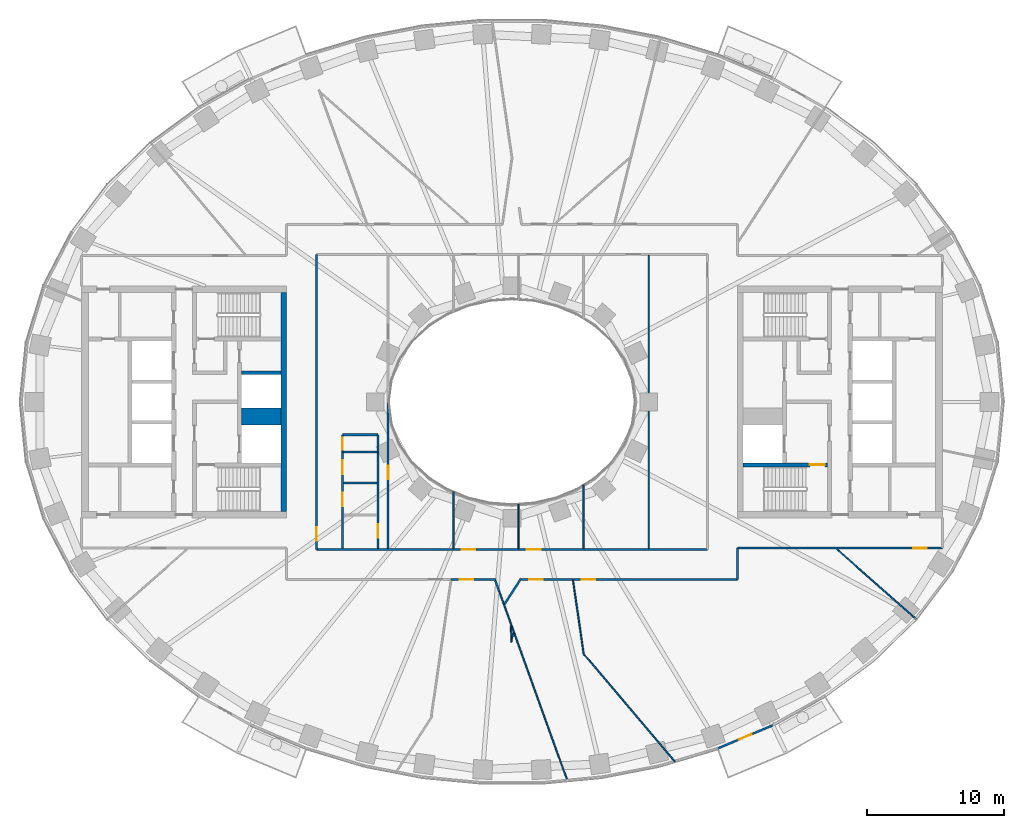
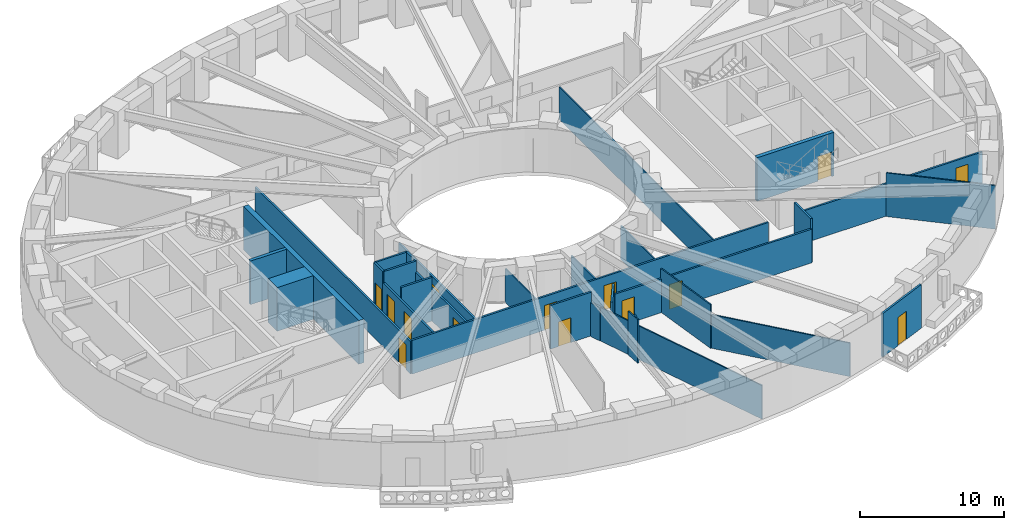
# One storey, part 4 of 15: 32 walls, 14 doors, 14 openings.
"""IFC4 building model written with IfcOpenShell, lengths in metres."""

import ifcopenshell
import ifcopenshell.guid

model = None  # the IFC model being written
_history = None  # IfcOwnerHistory: only IFC2X3 demands one
_inside = {}  # id of a spatial element -> (the spatial element, [elements in it])
_under = {}  # id of a project, library or spatial element -> (it, [spatial elements below it])
_declared = {}  # id of a project -> (the project, [libraries it declares])
_typed = {}  # id of a type object -> (the type object, [elements of that type])
_made_of = {}  # id of a material, layer set ... -> (it, [elements and type objects made of it])


def new_model(schema):
    """Start an empty IFC model of exactly this schema.

    Asked for "IFC4X3", IfcOpenShell would pick the latest addendum, in which some entities
    have other attributes; the version numbers below select the first issue.
    IFC2X3 requires an IfcOwnerHistory on every rooted entity: one is made here for all.
    """
    global model, _history
    if schema == "IFC4X3":
        model = ifcopenshell.file(schema_version=(4, 3, 0, 0))
    else:
        model = ifcopenshell.file(schema=schema)
    _inside.clear()
    _under.clear()
    _declared.clear()
    _typed.clear()
    _made_of.clear()
    _history = None
    if model.schema == "IFC2X3":
        org = make("IfcOrganization", Name="unknown")
        user = make(
            "IfcPersonAndOrganization",
            ThePerson=make("IfcPerson", FamilyName="unknown"),
            TheOrganization=org,
        )
        app = make(
            "IfcApplication",
            ApplicationDeveloper=org,
            Version="unknown",
            ApplicationFullName="unknown",
            ApplicationIdentifier="unknown",
        )
        _history = make(
            "IfcOwnerHistory",
            OwningUser=user,
            OwningApplication=app,
            ChangeAction="ADDED",
            CreationDate=0,
        )
    return model


def make(cls, **values):
    """One entity of the class cls with the attributes given. An attribute that is None is left unset."""
    return model.create_entity(
        cls, **{name: value for name, value in values.items() if value is not None}
    )


def rooted(cls, **values):
    """An entity with a GlobalId (a new one), such as an element, a storey or a relation."""
    return make(cls, GlobalId=ifcopenshell.guid.new(), OwnerHistory=_history, **values)


def si_unit(unit_type, name, prefix=None):
    """IfcSIUnit, for example si_unit("LENGTHUNIT", "METRE", prefix="MILLI")."""
    return make("IfcSIUnit", UnitType=unit_type, Prefix=prefix, Name=name)


def assignment(units):
    """IfcUnitAssignment: the units of a project."""
    return None if units is None else make("IfcUnitAssignment", Units=units)


def point(xyz):
    """IfcCartesianPoint."""
    return None if xyz is None else make("IfcCartesianPoint", Coordinates=xyz)


def direction(xyz):
    """IfcDirection."""
    return None if xyz is None else make("IfcDirection", DirectionRatios=xyz)


def frame(location, z_axis=None, x_axis=None):
    """IfcAxis2Placement3D, a coordinate frame: its origin and axes. An axis left out is left unset."""
    return make(
        "IfcAxis2Placement3D",
        Location=point(location),
        Axis=direction(z_axis),
        RefDirection=direction(x_axis),
    )


def frame_2d(location, x_axis=None):
    """IfcAxis2Placement2D, a coordinate frame in the plane: its origin and x axis."""
    return make(
        "IfcAxis2Placement2D", Location=point(location), RefDirection=direction(x_axis)
    )


def origin():
    """The frame at (0, 0, 0) with its axes left unset."""
    return frame((0.0, 0.0, 0.0))


def place(relative_to, where):
    """IfcLocalPlacement: puts the frame where relative to a parent placement (None: the world)."""
    return make(
        "IfcLocalPlacement", PlacementRelTo=relative_to, RelativePlacement=where
    )


def context(
    kind, dimensions, precision=None, world=None, true_north=None, identifier=None
):
    """IfcGeometricRepresentationContext, for example the 3D "Model" context."""
    return make(
        "IfcGeometricRepresentationContext",
        ContextIdentifier=identifier,
        ContextType=kind,
        CoordinateSpaceDimension=dimensions,
        Precision=precision,
        WorldCoordinateSystem=world,
        TrueNorth=true_north,
    )


def subcontext(parent, identifier, kind, view, scale=None):
    """IfcGeometricRepresentationSubContext, for example "Body" below "Model"."""
    return make(
        "IfcGeometricRepresentationSubContext",
        ContextIdentifier=identifier,
        ContextType=kind,
        ParentContext=parent,
        TargetScale=scale,
        TargetView=view,
    )


def project(units=None, contexts=None):
    """IfcProject with its units and contexts."""
    return rooted(
        "IfcProject",
        Name="project",
        RepresentationContexts=contexts,
        UnitsInContext=assignment(units),
    )


def spatial(cls, under=None, at=None, **own):
    """A site, building, storey or space (cls), placed at a placement, below another one or the project."""
    s = rooted(cls, ObjectPlacement=at, **own)
    if under is not None:
        _under.setdefault(under.id(), (under, []))[1].append(s)
    return s


def profile(cls, at=None, kind="AREA", **sizes):
    """A parametric profile (cls). Its sizes go by their IFC names, for example OverallWidth=200.0."""
    return make(cls, ProfileType=kind, Position=at, **sizes)


def rectangle(**sizes):
    """IfcRectangleProfileDef."""
    return profile("IfcRectangleProfileDef", **sizes)


def extrude(swept, where, along, depth):
    """IfcExtrudedAreaSolid: the profile swept, set in the frame where, extruded along a direction by depth."""
    return make(
        "IfcExtrudedAreaSolid",
        SweptArea=swept,
        Position=where,
        ExtrudedDirection=direction(along),
        Depth=depth,
    )


def shape(context_of_items, identifier, shape_type, items):
    """IfcShapeRepresentation: the items that make up one representation, for example the "Body"."""
    return make(
        "IfcShapeRepresentation",
        ContextOfItems=context_of_items,
        RepresentationIdentifier=identifier,
        RepresentationType=shape_type,
        Items=items,
    )


def material(Name=None, Category=None):
    """IfcMaterial."""
    return make("IfcMaterial", Name=Name, Category=Category)


def layer(
    of_material, thickness, ventilated=None, Name=None, Category=None, Priority=None
):
    """IfcMaterialLayer: one layer of a wall or slab, of a material (None: an air gap)."""
    return make(
        "IfcMaterialLayer",
        Material=of_material,
        LayerThickness=thickness,
        IsVentilated=ventilated,
        Name=Name,
        Category=Category,
        Priority=Priority,
    )


def layer_set(layers, Name=None):
    """IfcMaterialLayerSet."""
    return make("IfcMaterialLayerSet", MaterialLayers=layers, LayerSetName=Name)


def made_of(thing, what):
    """Note that an element or type object is made of a material, layer set ...; save() writes the relation."""
    if what is not None:
        _made_of.setdefault(what.id(), (what, []))[1].append(thing)
    return thing


def type_object(cls, material=None, **own):
    """A type object (cls), such as IfcWallType, which elements share."""
    return made_of(rooted(cls, **own), material)


def element(
    cls,
    number,
    at=None,
    inside=None,
    cuts=None,
    type_object=None,
    material=None,
    context=None,
    identifier="Body",
    shape_type=None,
    held_by="IfcProductDefinitionShape",
    body=None,
    shapes=None,
    **own,
):
    """One element of the class cls, such as IfcWall. Its Tag is "e" and its number.

    at: its placement. inside: the storey or other place that contains it. cuts: it is an
    opening in that element (IfcRelVoidsElement). A single representation is given by context,
    identifier, shape_type and body (its items); several are given by shapes. held_by: the class
    of the entity that holds the representations. save() writes the other relations.
    """
    e = rooted(cls, Tag="e%d" % number, ObjectPlacement=at, **own)
    if body is not None:
        shapes = [shape(context, identifier, shape_type, body)]
    if shapes is not None:
        e.Representation = make(held_by, Representations=shapes)
    if inside is not None:
        _inside.setdefault(inside.id(), (inside, []))[1].append(e)
    if cuts is not None:
        rooted(
            "IfcRelVoidsElement", RelatingBuildingElement=cuts, RelatedOpeningElement=e
        )
    if type_object is not None:
        _typed.setdefault(type_object.id(), (type_object, []))[1].append(e)
    return made_of(e, material)


def fill(opening, filler):
    """IfcRelFillsElement: the door or window that sits in an opening."""
    return rooted(
        "IfcRelFillsElement",
        RelatingOpeningElement=opening,
        RelatedBuildingElement=filler,
    )


def aggregate(whole, parts):
    """IfcRelAggregates: a whole, such as a stair, and the parts it consists of."""
    return rooted("IfcRelAggregates", RelatingObject=whole, RelatedObjects=parts)


def save(model, path):
    """Write the relations noted so far, then the file.

    IfcRelAggregates (storeys below a building ...), IfcRelContainedInSpatialStructure (elements
    in a storey), IfcRelDefinesByType, IfcRelAssociatesMaterial and IfcRelDeclares: one each for
    every whole, place, type object, material and project.
    """
    for whole, parts in _under.values():
        aggregate(whole, parts)
    for where, things in _inside.values():
        rooted(
            "IfcRelContainedInSpatialStructure",
            RelatedElements=things,
            RelatingStructure=where,
        )
    for kind, things in _typed.values():
        rooted("IfcRelDefinesByType", RelatedObjects=things, RelatingType=kind)
    for what, things in _made_of.values():
        rooted("IfcRelAssociatesMaterial", RelatedObjects=things, RelatingMaterial=what)
    for by, libraries in _declared.values():
        rooted("IfcRelDeclares", RelatingContext=by, RelatedDefinitions=libraries)
    model.write(path)


model = new_model("IFC4")

# Units and contexts
model_context = context("Model", 3, precision=1e-05, world=origin(), true_north=direction((0.0, 1.0)))
body_context = subcontext(model_context, "Body", "Model", "MODEL_VIEW")
ifc_project = project(units=[si_unit("LENGTHUNIT", "METRE"), si_unit("AREAUNIT", "SQUARE_METRE"), si_unit("VOLUMEUNIT", "CUBIC_METRE"), si_unit("PLANEANGLEUNIT", "RADIAN"), si_unit("MASSUNIT", "GRAM", prefix="KILO")], contexts=[model_context])

# Site, building, storey
site_placement = place(None, origin())
site = spatial("IfcSite", under=ifc_project, at=site_placement, CompositionType="ELEMENT")
building_placement = place(site_placement, origin())
building = spatial("IfcBuilding", under=site, at=building_placement, Name="Noorbagh Ring Tower", CompositionType="ELEMENT")
storey_placement = place(building_placement, frame((0.0, 0.0, 62.5)))
storey = spatial("IfcBuildingStorey", under=building, at=storey_placement, Name="L13", CompositionType="ELEMENT", Elevation=62.5)

# Wall, opening, door
ifc_material_1 = material(Name="Gypsum board on steel studs", Category="steel")
ifc_layer_1 = layer(ifc_material_1, 0.14990234375)
ifc_layer_set_1 = layer_set([ifc_layer_1], Name="Gypsum board on steel studs")
wall_type_1 = type_object("IfcWallType", Name="COMPARTMENT PARTITION 150 EI 60", PredefinedType="PARTITIONING", material=ifc_layer_set_1)
wall_1_placement = place(storey_placement, frame((-12.39990234375, -3.659912109375, 0.0), z_axis=(0.0, 0.0, 1.0), x_axis=(0.0, 1.0, 0.0)))
wall_1 = element("IfcWall", 1, at=wall_1_placement, inside=storey, type_object=wall_type_1, Name="L13/wall/P20", PredefinedType="PARTITIONING", context=body_context, shape_type="SweptSolid", body=[
    extrude(rectangle(XDim=1.260009765625, YDim=0.14990234375, at=frame_2d((0.6298828125, 0.0))), origin(), (0.0, 0.0, 1.0), 3.699951171875),
])
opening_1_placement = place(wall_1_placement, frame((0.14990234375, 0.0, 0.0)))
opening_1 = element("IfcOpeningElement", 2, at=opening_1_placement, cuts=wall_1, Name="Opening D4", PredefinedType="OPENING", context=body_context, shape_type="SweptSolid", body=[
    extrude(rectangle(XDim=0.89990234375, YDim=2.10009765625, at=frame_2d((0.449951171875, 1.050048828125))), frame((0.0, 0.0849609375, 0.0), z_axis=(0.0, -1.0, 0.0), x_axis=(1.0, 0.0, 0.0)), (0.0, 0.0, 1.0), 0.169921875),
])
ifc_material_2 = material(Name="Timber, painted", Category="wood")
door_type_1 = type_object("IfcDoorType", Name="DOOR 900 X 2100 FD60", OperationType="SINGLE_SWING_LEFT", PredefinedType="DOOR", material=ifc_material_2)
door_1_placement = place(opening_1_placement, origin())
door_1 = element("IfcDoor", 3, at=door_1_placement, inside=storey, type_object=door_type_1, Name="L13-D05", OperationType="SINGLE_SWING_LEFT", OverallHeight=2.10009765625, OverallWidth=0.89990234375, PredefinedType="DOOR", context=body_context, shape_type="SweptSolid", body=[
    extrude(rectangle(XDim=0.89990234375, YDim=2.10009765625, at=frame_2d((0.449951171875, 1.050048828125))), frame((0.0, 0.02490234375, 0.0), z_axis=(0.0, -1.0, 0.0), x_axis=(1.0, 0.0, 0.0)), (0.0, 0.0, 1.0), 0.050048828125),
])
fill(opening_1, door_1)

# Walls
wall_2_placement = place(storey_placement, frame((-12.39990234375, -3.659912109375, 0.0), z_axis=(0.0, 0.0, 1.0), x_axis=(1.0, 0.0, 0.0)))
element("IfcWall", 4, at=wall_2_placement, inside=storey, type_object=wall_type_1, Name="L13/wall/P21", PredefinedType="PARTITIONING", context=body_context, shape_type="SweptSolid", body=[
    extrude(rectangle(XDim=2.599853515625, YDim=0.14990234375, at=frame_2d((1.2998046875, 0.0))), origin(), (0.0, 0.0, 1.0), 3.699951171875),
])
wall_3_placement = place(storey_placement, frame((-12.39990234375, -2.39990234375, 0.0), z_axis=(0.0, 0.0, 1.0), x_axis=(1.0, 0.0, 0.0)))
element("IfcWall", 5, at=wall_3_placement, inside=storey, type_object=wall_type_1, Name="L13/wall/P22", PredefinedType="PARTITIONING", context=body_context, shape_type="SweptSolid", body=[
    extrude(rectangle(XDim=2.595947265625, YDim=0.14990234375, at=frame_2d((1.2978515625, 0.0))), origin(), (0.0, 0.0, 1.0), 3.699951171875),
])
wall_4_placement = place(storey_placement, frame((-9.800048828125, -3.659912109375, 0.0), z_axis=(0.0, 0.0, 1.0), x_axis=(0.0, 1.0, 0.0)))
element("IfcWall", 6, at=wall_4_placement, inside=storey, type_object=wall_type_1, Name="L13/wall/P25", PredefinedType="PARTITIONING", context=body_context, shape_type="SweptSolid", body=[
    extrude(rectangle(XDim=1.255859375, YDim=0.14990234375, at=frame_2d((0.6279296875, 0.0))), origin(), (0.0, 0.0, 1.0), 3.699951171875),
])
ifc_material_3 = material(Name="Concrete C70/85", Category="concrete")
ifc_layer_2 = layer(ifc_material_3, 1.25)
ifc_layer_set_2 = layer_set([ifc_layer_2], Name="Concrete C70/85")
wall_type_2 = type_object("IfcWallType", Name="CORE-WALL-1250-C70-85-EI120", PredefinedType="SHEAR", material=ifc_layer_set_2)
wall_5_placement = place(storey_placement, frame((-16.89990234375, -1.074951171875, 0.0), z_axis=(0.0, 0.0, 1.0), x_axis=(-1.0, 0.0, 0.0)))
element("IfcWall", 7, at=wall_5_placement, inside=storey, type_object=wall_type_2, Name="Core wall W", PredefinedType="SHEAR", context=body_context, shape_type="SweptSolid", body=[
    extrude(rectangle(XDim=2.900146484375, YDim=1.25, at=frame_2d((1.4501953125, 0.0))), origin(), (0.0, 0.0, 1.0), 3.699951171875),
])
ifc_material_4 = material(Name="Concrete C70/85", Category="concrete")
ifc_layer_3 = layer(ifc_material_4, 0.25)
ifc_layer_set_3 = layer_set([ifc_layer_3], Name="Concrete C70/85")
wall_type_3 = type_object("IfcWallType", Name="CORE-WALL-250-C70-85-EI120", PredefinedType="SHEAR", material=ifc_layer_set_3)
wall_6_placement = place(storey_placement, frame((-16.89990234375, 2.125, 0.0), z_axis=(0.0, 0.0, 1.0), x_axis=(-1.0, 0.0, 0.0)))
element("IfcWall", 8, at=wall_6_placement, inside=storey, type_object=wall_type_3, Name="Core wall W", PredefinedType="SHEAR", context=body_context, shape_type="SweptSolid", body=[
    extrude(rectangle(XDim=2.900146484375, YDim=0.25, at=frame_2d((1.4501953125, 0.0))), origin(), (0.0, 0.0, 1.0), 3.699951171875),
])

# Wall, opening, door
ifc_material_5 = material(Name="Concrete C70/85", Category="concrete")
ifc_layer_4 = layer(ifc_material_5, 0.300048828125)
ifc_layer_set_4 = layer_set([ifc_layer_4], Name="Concrete C70/85")
wall_type_4 = type_object("IfcWallType", Name="CORE-WALL-300-C70-85-EI240", PredefinedType="SHEAR", material=ifc_layer_set_4)
wall_7_placement = place(storey_placement, frame((16.89990234375, -4.60009765625, 0.0), z_axis=(0.0, 0.0, 1.0), x_axis=(1.0, 0.0, 0.0)))
wall_7 = element("IfcWall", 9, at=wall_7_placement, inside=storey, type_object=wall_type_4, Name="Core wall E", PredefinedType="SHEAR", context=body_context, shape_type="SweptSolid", body=[
    extrude(rectangle(XDim=6.18017578125, YDim=0.300048828125, at=frame_2d((3.090087890625, 0.0))), origin(), (0.0, 0.0, 1.0), 3.699951171875),
])
opening_2_placement = place(wall_7_placement, frame((4.89990234375, 0.0, 0.0)))
opening_2 = element("IfcOpeningElement", 10, at=opening_2_placement, cuts=wall_7, Name="Opening L13-CE06", PredefinedType="OPENING", context=body_context, shape_type="SweptSolid", body=[
    extrude(rectangle(XDim=1.10009765625, YDim=2.10009765625, at=frame_2d((0.550048828125, 1.050048828125))), frame((0.0, 0.16015625, 0.0), z_axis=(0.0, -1.0, 0.0), x_axis=(1.0, 0.0, 0.0)), (0.0, 0.0, 1.0), 0.320068359375),
])
ifc_material_6 = material(Name="Steel door leaf", Category="steel")
door_type_2 = type_object("IfcDoorType", Name="CORE-DOOR-DSTAIR", OperationType="SINGLE_SWING_LEFT", PredefinedType="DOOR", material=ifc_material_6)
door_2_placement = place(opening_2_placement, origin())
door_2 = element("IfcDoor", 11, at=door_2_placement, inside=storey, type_object=door_type_2, Name="Stair door ST4 L13-CE06", OperationType="SINGLE_SWING_RIGHT", OverallHeight=2.10009765625, OverallWidth=1.10009765625, PredefinedType="DOOR", context=body_context, shape_type="SweptSolid", body=[
    extrude(rectangle(XDim=1.10009765625, YDim=2.10009765625, at=frame_2d((0.550048828125, 1.050048828125))), frame((0.0, 0.02490234375, 0.0), z_axis=(0.0, -1.0, 0.0), x_axis=(1.0, 0.0, 0.0)), (0.0, 0.0, 1.0), 0.050048828125),
])
fill(opening_2, door_2)

# Wall
ifc_material_7 = material(Name="Concrete C70/85", Category="concrete")
ifc_layer_5 = layer(ifc_material_7, 0.39990234375)
ifc_layer_set_5 = layer_set([ifc_layer_5], Name="Concrete C70/85")
wall_type_5 = type_object("IfcWallType", Name="CORE-WALL-400-C70-85-EI240", PredefinedType="SHEAR", material=ifc_layer_set_5)
wall_8_placement = place(storey_placement, frame((-16.699951171875, -8.0, 0.0), z_axis=(0.0, 0.0, 1.0), x_axis=(0.0, 1.0, 0.0)))
element("IfcWall", 12, at=wall_8_placement, inside=storey, type_object=wall_type_5, Name="Core wall W", PredefinedType="SHEAR", context=body_context, shape_type="SweptSolid", body=[
    extrude(rectangle(XDim=16.0, YDim=0.39990234375, at=frame_2d((8.0, 0.0))), origin(), (0.0, 0.0, 1.0), 3.699951171875),
])

# Wall, opening, door
ifc_material_8 = material(Name="Gypsum board on steel studs", Category="steel")
ifc_layer_6 = layer(ifc_material_8, 0.14990234375)
ifc_layer_set_6 = layer_set([ifc_layer_6], Name="Gypsum board on steel studs")
wall_type_6 = type_object("IfcWallType", Name="CORRIDOR PARTITION 150 EI 30", PredefinedType="PARTITIONING", material=ifc_layer_set_6)
wall_9_placement = place(storey_placement, frame((-14.300048828125, -10.800048828125, 0.0), z_axis=(0.0, 0.0, 1.0), x_axis=(0.0, 1.0, 0.0)))
wall_9 = element("IfcWall", 13, at=wall_9_placement, inside=storey, type_object=wall_type_6, Name="L13/wall/P12", PredefinedType="PARTITIONING", context=body_context, shape_type="SweptSolid", body=[
    extrude(rectangle(XDim=21.60009765625, YDim=0.14990234375, at=frame_2d((10.800048828125, 0.0))), origin(), (0.0, 0.0, 1.0), 2.75),
])
opening_3_placement = place(wall_9_placement, frame((0.64990234375, 0.0, 0.0)))
opening_3 = element("IfcOpeningElement", 14, at=opening_3_placement, cuts=wall_9, Name="Opening D1", PredefinedType="OPENING", context=body_context, shape_type="SweptSolid", body=[
    extrude(rectangle(XDim=1.0, YDim=2.10009765625, at=frame_2d((0.5, 1.050048828125))), frame((0.0, 0.0849609375, 0.0), z_axis=(0.0, -1.0, 0.0), x_axis=(1.0, 0.0, 0.0)), (0.0, 0.0, 1.0), 0.169921875),
])
ifc_material_9 = material(Name="Timber, painted", Category="wood")
door_type_3 = type_object("IfcDoorType", Name="DOOR 1000 X 2100 FD30", OperationType="SINGLE_SWING_LEFT", PredefinedType="DOOR", material=ifc_material_9)
door_3_placement = place(opening_3_placement, origin())
door_3 = element("IfcDoor", 15, at=door_3_placement, inside=storey, type_object=door_type_3, Name="L13-D01", OperationType="SINGLE_SWING_LEFT", OverallHeight=2.10009765625, OverallWidth=1.0, PredefinedType="DOOR", context=body_context, shape_type="SweptSolid", body=[
    extrude(rectangle(XDim=1.0, YDim=2.10009765625, at=frame_2d((0.5, 1.050048828125))), frame((0.0, 0.02490234375, 0.0), z_axis=(0.0, -1.0, 0.0), x_axis=(1.0, 0.0, 0.0)), (0.0, 0.0, 1.0), 0.050048828125),
])
fill(opening_3, door_3)

# Wall, openings, doors
wall_10_placement = place(storey_placement, frame((-14.300048828125, -10.800048828125, 0.0), z_axis=(0.0, 0.0, 1.0), x_axis=(1.0, 0.0, 0.0)))
wall_10 = element("IfcWall", 16, at=wall_10_placement, inside=storey, type_object=wall_type_6, Name="L13/wall/P13", PredefinedType="PARTITIONING", context=body_context, shape_type="SweptSolid", body=[
    extrude(rectangle(XDim=28.60009765625, YDim=0.14990234375, at=frame_2d((14.300048828125, 0.0))), origin(), (0.0, 0.0, 1.0), 2.85009765625),
])
opening_4_placement = place(wall_10_placement, frame((10.626953125, 0.0, 0.0)))
opening_4 = element("IfcOpeningElement", 17, at=opening_4_placement, cuts=wall_10, Name="Opening D1", PredefinedType="OPENING", context=body_context, shape_type="SweptSolid", body=[
    extrude(rectangle(XDim=1.0, YDim=2.10009765625, at=frame_2d((0.5, 1.050048828125))), frame((0.0, 0.0849609375, 0.0), z_axis=(0.0, -1.0, 0.0), x_axis=(1.0, 0.0, 0.0)), (0.0, 0.0, 1.0), 0.169921875),
])
opening_5_placement = place(wall_10_placement, frame((15.39306640625, 0.0, 0.0)))
opening_5 = element("IfcOpeningElement", 18, at=opening_5_placement, cuts=wall_10, Name="Opening D1", PredefinedType="OPENING", context=body_context, shape_type="SweptSolid", body=[
    extrude(rectangle(XDim=1.0, YDim=2.10009765625, at=frame_2d((0.5, 1.050048828125))), frame((0.0, 0.0849609375, 0.0), z_axis=(0.0, -1.0, 0.0), x_axis=(1.0, 0.0, 0.0)), (0.0, 0.0, 1.0), 0.169921875),
])
door_4_placement = place(opening_4_placement, origin())
door_4 = element("IfcDoor", 19, at=door_4_placement, inside=storey, type_object=door_type_3, Name="L13-D22", OperationType="SINGLE_SWING_RIGHT", OverallHeight=2.10009765625, OverallWidth=1.0, PredefinedType="DOOR", context=body_context, shape_type="SweptSolid", body=[
    extrude(rectangle(XDim=1.0, YDim=2.10009765625, at=frame_2d((0.5, 1.050048828125))), frame((0.0, 0.02490234375, 0.0), z_axis=(0.0, -1.0, 0.0), x_axis=(1.0, 0.0, 0.0)), (0.0, 0.0, 1.0), 0.050048828125),
])
fill(opening_4, door_4)
door_5_placement = place(opening_5_placement, origin())
door_5 = element("IfcDoor", 20, at=door_5_placement, inside=storey, type_object=door_type_3, Name="L13-D24", OperationType="SINGLE_SWING_RIGHT", OverallHeight=2.10009765625, OverallWidth=1.0, PredefinedType="DOOR", context=body_context, shape_type="SweptSolid", body=[
    extrude(rectangle(XDim=1.0, YDim=2.10009765625, at=frame_2d((0.5, 1.050048828125))), frame((0.0, 0.02490234375, 0.0), z_axis=(0.0, -1.0, 0.0), x_axis=(1.0, 0.0, 0.0)), (0.0, 0.0, 1.0), 0.050048828125),
])
fill(opening_5, door_5)

wall_11_placement = place(storey_placement, frame((-12.39990234375, -10.72509765625, 0.0), z_axis=(0.0, 0.0, 1.0), x_axis=(0.0, 1.0, 0.0)))
wall_11 = element("IfcWall", 21, at=wall_11_placement, inside=storey, type_object=wall_type_6, Name="L13/wall/P17", PredefinedType="PARTITIONING", context=body_context, shape_type="SweptSolid", body=[
    extrude(rectangle(XDim=7.065185546875, YDim=0.14990234375, at=frame_2d((3.53271484375, 0.0))), origin(), (0.0, 0.0, 1.0), 2.75),
])
opening_6_placement = place(wall_11_placement, frame((3.094970703125, 0.0, 0.0)))
opening_6 = element("IfcOpeningElement", 22, at=opening_6_placement, cuts=wall_11, Name="Opening D3", PredefinedType="OPENING", context=body_context, shape_type="SweptSolid", body=[
    extrude(rectangle(XDim=1.0, YDim=2.10009765625, at=frame_2d((0.5, 1.050048828125))), frame((0.0, 0.0849609375, 0.0), z_axis=(0.0, -1.0, 0.0), x_axis=(1.0, 0.0, 0.0)), (0.0, 0.0, 1.0), 0.169921875),
])
opening_7_placement = place(wall_11_placement, frame((5.447021484375, 0.0, 0.0)))
opening_7 = element("IfcOpeningElement", 23, at=opening_7_placement, cuts=wall_11, Name="Opening D3", PredefinedType="OPENING", context=body_context, shape_type="SweptSolid", body=[
    extrude(rectangle(XDim=1.0, YDim=2.10009765625, at=frame_2d((0.5, 1.050048828125))), frame((0.0, 0.0849609375, 0.0), z_axis=(0.0, -1.0, 0.0), x_axis=(1.0, 0.0, 0.0)), (0.0, 0.0, 1.0), 0.169921875),
])
ifc_material_10 = material(Name="Timber, painted", Category="wood")
door_type_4 = type_object("IfcDoorType", Name="DOOR 1000 X 2100 WC", OperationType="SINGLE_SWING_LEFT", PredefinedType="DOOR", material=ifc_material_10)
door_6_placement = place(opening_6_placement, origin())
door_6 = element("IfcDoor", 24, at=door_6_placement, inside=storey, type_object=door_type_4, Name="L13-D03", OperationType="SINGLE_SWING_LEFT", OverallHeight=2.10009765625, OverallWidth=1.0, PredefinedType="DOOR", context=body_context, shape_type="SweptSolid", body=[
    extrude(rectangle(XDim=1.0, YDim=2.10009765625, at=frame_2d((0.5, 1.050048828125))), frame((0.0, 0.02490234375, 0.0), z_axis=(0.0, -1.0, 0.0), x_axis=(1.0, 0.0, 0.0)), (0.0, 0.0, 1.0), 0.050048828125),
])
fill(opening_6, door_6)
door_7_placement = place(opening_7_placement, origin())
door_7 = element("IfcDoor", 25, at=door_7_placement, inside=storey, type_object=door_type_4, Name="L13-D04", OperationType="SINGLE_SWING_RIGHT", OverallHeight=2.10009765625, OverallWidth=1.0, PredefinedType="DOOR", context=body_context, shape_type="SweptSolid", body=[
    extrude(rectangle(XDim=1.0, YDim=2.10009765625, at=frame_2d((0.5, 1.050048828125))), frame((0.0, 0.02490234375, 0.0), z_axis=(0.0, -1.0, 0.0), x_axis=(1.0, 0.0, 0.0)), (0.0, 0.0, 1.0), 0.050048828125),
])
fill(opening_7, door_7)

# Wall
wall_12_placement = place(storey_placement, frame((-12.324951171875, -5.927978515625, 0.0), z_axis=(0.0, 0.0, 1.0), x_axis=(1.0, 0.0, 0.0)))
element("IfcWall", 26, at=wall_12_placement, inside=storey, type_object=wall_type_6, Name="L13/wall/P19", PredefinedType="PARTITIONING", context=body_context, shape_type="SweptSolid", body=[
    extrude(rectangle(XDim=2.449951171875, YDim=0.14990234375, at=frame_2d((1.22509765625, 0.0))), origin(), (0.0, 0.0, 1.0), 3.699951171875),
])

# Wall, opening, door
wall_13_placement = place(storey_placement, frame((-9.800048828125, -10.72509765625, 0.0), z_axis=(0.0, 0.0, 1.0), x_axis=(0.0, 1.0, 0.0)))
wall_13 = element("IfcWall", 27, at=wall_13_placement, inside=storey, type_object=wall_type_6, Name="L13/wall/P24", PredefinedType="PARTITIONING", context=body_context, shape_type="SweptSolid", body=[
    extrude(rectangle(XDim=7.065185546875, YDim=0.14990234375, at=frame_2d((3.53271484375, 0.0))), origin(), (0.0, 0.0, 1.0), 2.75),
])
opening_8_placement = place(wall_13_placement, frame((0.794921875, 0.0, 0.0)))
opening_8 = element("IfcOpeningElement", 28, at=opening_8_placement, cuts=wall_13, Name="Opening D3", PredefinedType="OPENING", context=body_context, shape_type="SweptSolid", body=[
    extrude(rectangle(XDim=1.0, YDim=2.10009765625, at=frame_2d((0.5, 1.050048828125))), frame((0.0, 0.0849609375, 0.0), z_axis=(0.0, -1.0, 0.0), x_axis=(1.0, 0.0, 0.0)), (0.0, 0.0, 1.0), 0.169921875),
])
door_8_placement = place(opening_8_placement, origin())
door_8 = element("IfcDoor", 29, at=door_8_placement, inside=storey, type_object=door_type_4, Name="L13-D02", OperationType="SINGLE_SWING_RIGHT", OverallHeight=2.10009765625, OverallWidth=1.0, PredefinedType="DOOR", context=body_context, shape_type="SweptSolid", body=[
    extrude(rectangle(XDim=1.0, YDim=2.10009765625, at=frame_2d((0.5, 1.050048828125))), frame((0.0, 0.02490234375, 0.0), z_axis=(0.0, -1.0, 0.0), x_axis=(1.0, 0.0, 0.0)), (0.0, 0.0, 1.0), 0.050048828125),
])
fill(opening_8, door_8)

wall_14_placement = place(storey_placement, frame((-9.056884765625, -10.72509765625, 0.0), z_axis=(0.0, 0.0, 1.0), x_axis=(0.0, 1.0, 0.0)))
wall_14 = element("IfcWall", 30, at=wall_14_placement, inside=storey, type_object=wall_type_6, Name="L13/wall/P26", PredefinedType="PARTITIONING", context=body_context, shape_type="SweptSolid", body=[
    extrude(rectangle(XDim=10.68017578125, YDim=0.14990234375, at=frame_2d((5.340087890625, 0.0))), origin(), (0.0, 0.0, 1.0), 2.75),
])
opening_9_placement = place(wall_14_placement, frame((5.074951171875, 0.0, 0.0)))
opening_9 = element("IfcOpeningElement", 31, at=opening_9_placement, cuts=wall_14, Name="Opening D1", PredefinedType="OPENING", context=body_context, shape_type="SweptSolid", body=[
    extrude(rectangle(XDim=1.0, YDim=2.10009765625, at=frame_2d((0.5, 1.050048828125))), frame((0.0, 0.0849609375, 0.0), z_axis=(0.0, -1.0, 0.0), x_axis=(1.0, 0.0, 0.0)), (0.0, 0.0, 1.0), 0.169921875),
])
door_9_placement = place(opening_9_placement, origin())
door_9 = element("IfcDoor", 32, at=door_9_placement, inside=storey, type_object=door_type_3, Name="L13-D20", OperationType="SINGLE_SWING_RIGHT", OverallHeight=2.10009765625, OverallWidth=1.0, PredefinedType="DOOR", context=body_context, shape_type="SweptSolid", body=[
    extrude(rectangle(XDim=1.0, YDim=2.10009765625, at=frame_2d((0.5, 1.050048828125))), frame((0.0, 0.02490234375, 0.0), z_axis=(0.0, -1.0, 0.0), x_axis=(1.0, 0.0, 0.0)), (0.0, 0.0, 1.0), 0.050048828125),
])
fill(opening_9, door_9)

wall_15_placement = place(storey_placement, frame((-4.458984375, -13.0, 0.0), z_axis=(0.0, 0.0, 1.0), x_axis=(1.0, 0.0, 0.0)))
wall_15 = element("IfcWall", 33, at=wall_15_placement, inside=storey, type_object=wall_type_6, Name="L13/wall/P30", PredefinedType="PARTITIONING", context=body_context, shape_type="SweptSolid", body=[
    extrude(rectangle(XDim=3.29296875, YDim=0.14990234375, at=frame_2d((1.646484375, 0.0))), origin(), (0.0, 0.0, 1.0), 3.699951171875),
])
opening_10_placement = place(wall_15_placement, frame((0.6298828125, 0.0, 0.0)))
opening_10 = element("IfcOpeningElement", 34, at=opening_10_placement, cuts=wall_15, Name="Opening D1", PredefinedType="OPENING", context=body_context, shape_type="SweptSolid", body=[
    extrude(rectangle(XDim=1.0, YDim=2.10009765625, at=frame_2d((0.5, 1.050048828125))), frame((0.0, 0.0849609375, 0.0), z_axis=(0.0, -1.0, 0.0), x_axis=(1.0, 0.0, 0.0)), (0.0, 0.0, 1.0), 0.169921875),
])
door_10_placement = place(opening_10_placement, origin())
door_10 = element("IfcDoor", 35, at=door_10_placement, inside=storey, type_object=door_type_3, Name="L13-D11", OperationType="SINGLE_SWING_LEFT", OverallHeight=2.10009765625, OverallWidth=1.0, PredefinedType="DOOR", context=body_context, shape_type="SweptSolid", body=[
    extrude(rectangle(XDim=1.0, YDim=2.10009765625, at=frame_2d((0.5, 1.050048828125))), frame((0.0, 0.02490234375, 0.0), z_axis=(0.0, -1.0, 0.0), x_axis=(1.0, 0.0, 0.0)), (0.0, 0.0, 1.0), 0.050048828125),
])
fill(opening_10, door_10)

# Walls
wall_16_placement = place(storey_placement, frame((-1.218017578125, -13.0791015625, 0.0), z_axis=(0.0, 0.0, 1.0), x_axis=(0.339052677967, -0.940767389722, 0.0)))
element("IfcWall", 36, at=wall_16_placement, inside=storey, type_object=wall_type_6, Name="L13/wall/P34", PredefinedType="PARTITIONING", context=body_context, shape_type="SweptSolid", body=[
    extrude(rectangle(XDim=0.882080078125, YDim=0.14990234375, at=frame_2d((0.44091796875, 0.0))), origin(), (0.0, 0.0, 1.0), 2.85009765625),
])
wall_17_placement = place(storey_placement, frame((-0.553955078125, -14.805908203125, 0.0), z_axis=(0.0, 0.0, 1.0), x_axis=(0.542256038928, 0.840213299256, 0.0)))
element("IfcWall", 37, at=wall_17_placement, inside=storey, type_object=wall_type_6, Name="L13/wall/P38", PredefinedType="PARTITIONING", context=body_context, shape_type="SweptSolid", body=[
    extrude(rectangle(XDim=2.238525390625, YDim=0.14990234375, at=frame_2d((1.119140625, 0.0))), origin(), (0.0, 0.0, 1.0), 3.699951171875),
])

# Wall, opening, door
wall_18_placement = place(storey_placement, frame((0.700927734375, -13.0, 0.0), z_axis=(0.0, 0.0, 1.0), x_axis=(1.0, 0.0, 0.0)))
wall_18 = element("IfcWall", 38, at=wall_18_placement, inside=storey, type_object=wall_type_6, Name="L13/wall/P43", PredefinedType="PARTITIONING", context=body_context, shape_type="SweptSolid", body=[
    extrude(rectangle(XDim=3.758056640625, YDim=0.14990234375, at=frame_2d((1.87890625, 0.0))), origin(), (0.0, 0.0, 1.0), 2.85009765625),
])
opening_11_placement = place(wall_18_placement, frame((0.56103515625, 0.0, 0.0)))
opening_11 = element("IfcOpeningElement", 39, at=opening_11_placement, cuts=wall_18, Name="Opening D1", PredefinedType="OPENING", context=body_context, shape_type="SweptSolid", body=[
    extrude(rectangle(XDim=1.0, YDim=2.10009765625, at=frame_2d((0.5, 1.050048828125))), frame((0.0, 0.0849609375, 0.0), z_axis=(0.0, -1.0, 0.0), x_axis=(1.0, 0.0, 0.0)), (0.0, 0.0, 1.0), 0.169921875),
])
door_11_placement = place(opening_11_placement, origin())
door_11 = element("IfcDoor", 40, at=door_11_placement, inside=storey, type_object=door_type_3, Name="L13-D13", OperationType="SINGLE_SWING_LEFT", OverallHeight=2.10009765625, OverallWidth=1.0, PredefinedType="DOOR", context=body_context, shape_type="SweptSolid", body=[
    extrude(rectangle(XDim=1.0, YDim=2.10009765625, at=frame_2d((0.5, 1.050048828125))), frame((0.0, 0.02490234375, 0.0), z_axis=(0.0, -1.0, 0.0), x_axis=(1.0, 0.0, 0.0)), (0.0, 0.0, 1.0), 0.050048828125),
])
fill(opening_11, door_11)

wall_19_placement = place(storey_placement, frame((4.47900390625, -13.0, 0.0), z_axis=(0.0, 0.0, 1.0), x_axis=(1.0, 0.0, 0.0)))
wall_19 = element("IfcWall", 41, at=wall_19_placement, inside=storey, type_object=wall_type_6, Name="L13/wall/P47", PredefinedType="PARTITIONING", context=body_context, shape_type="SweptSolid", body=[
    extrude(rectangle(XDim=12.02099609375, YDim=0.14990234375, at=frame_2d((6.010498046875, 0.0))), origin(), (0.0, 0.0, 1.0), 2.85009765625),
])
opening_12_placement = place(wall_19_placement, frame((0.6298828125, 0.0, 0.0)))
opening_12 = element("IfcOpeningElement", 42, at=opening_12_placement, cuts=wall_19, Name="Opening D1", PredefinedType="OPENING", context=body_context, shape_type="SweptSolid", body=[
    extrude(rectangle(XDim=1.0, YDim=2.10009765625, at=frame_2d((0.5, 1.050048828125))), frame((0.0, 0.0849609375, 0.0), z_axis=(0.0, -1.0, 0.0), x_axis=(1.0, 0.0, 0.0)), (0.0, 0.0, 1.0), 0.169921875),
])
door_12_placement = place(opening_12_placement, origin())
door_12 = element("IfcDoor", 43, at=door_12_placement, inside=storey, type_object=door_type_3, Name="L13-D15", OperationType="SINGLE_SWING_LEFT", OverallHeight=2.10009765625, OverallWidth=1.0, PredefinedType="DOOR", context=body_context, shape_type="SweptSolid", body=[
    extrude(rectangle(XDim=1.0, YDim=2.10009765625, at=frame_2d((0.5, 1.050048828125))), frame((0.0, 0.02490234375, 0.0), z_axis=(0.0, -1.0, 0.0), x_axis=(1.0, 0.0, 0.0)), (0.0, 0.0, 1.0), 0.050048828125),
])
fill(opening_12, door_12)

# Wall
wall_20_placement = place(storey_placement, frame((16.5, -13.0, 0.0), z_axis=(0.0, 0.0, 1.0), x_axis=(0.0, 1.0, 0.0)))
element("IfcWall", 44, at=wall_20_placement, inside=storey, type_object=wall_type_6, Name="L13/wall/P55", PredefinedType="PARTITIONING", context=body_context, shape_type="SweptSolid", body=[
    extrude(rectangle(XDim=2.300048828125, YDim=0.14990234375, at=frame_2d((1.14990234375, 0.0))), origin(), (0.0, 0.0, 1.0), 3.699951171875),
])

# Wall, opening, door
wall_21_placement = place(storey_placement, frame((16.5, -10.699951171875, 0.0), z_axis=(0.0, 0.0, 1.0), x_axis=(1.0, 0.0, 0.0)))
wall_21 = element("IfcWall", 45, at=wall_21_placement, inside=storey, type_object=wall_type_6, Name="L13/wall/P56", PredefinedType="PARTITIONING", context=body_context, shape_type="SweptSolid", body=[
    extrude(rectangle(XDim=15.0, YDim=0.14990234375, at=frame_2d((7.5, 0.0))), origin(), (0.0, 0.0, 1.0), 2.75),
])
opening_13_placement = place(wall_21_placement, frame((12.846923828125, 0.0, 0.0)))
opening_13 = element("IfcOpeningElement", 46, at=opening_13_placement, cuts=wall_21, Name="Opening D1", PredefinedType="OPENING", context=body_context, shape_type="SweptSolid", body=[
    extrude(rectangle(XDim=1.0, YDim=2.10009765625, at=frame_2d((0.5, 1.050048828125))), frame((0.0, 0.0849609375, 0.0), z_axis=(0.0, -1.0, 0.0), x_axis=(1.0, 0.0, 0.0)), (0.0, 0.0, 1.0), 0.169921875),
])
door_13_placement = place(opening_13_placement, origin())
door_13 = element("IfcDoor", 47, at=door_13_placement, inside=storey, type_object=door_type_3, Name="L13-D18", OperationType="SINGLE_SWING_RIGHT", OverallHeight=2.10009765625, OverallWidth=1.0, PredefinedType="DOOR", context=body_context, shape_type="SweptSolid", body=[
    extrude(rectangle(XDim=1.0, YDim=2.10009765625, at=frame_2d((0.5, 1.050048828125))), frame((0.0, 0.02490234375, 0.0), z_axis=(0.0, -1.0, 0.0), x_axis=(1.0, 0.0, 0.0)), (0.0, 0.0, 1.0), 0.050048828125),
])
fill(opening_13, door_13)

ifc_material_11 = material(Name="Insulated aluminium clad panel", Category="aluminium")
ifc_layer_7 = layer(ifc_material_11, 0.14990234375)
ifc_layer_set_7 = layer_set([ifc_layer_7], Name="Insulated aluminium clad panel")
wall_type_7 = type_object("IfcWallType", Name="ENV-WALL-DOOR", PredefinedType="STANDARD", material=ifc_layer_set_7)
wall_22_placement = place(storey_placement, frame((15.017822265625, -25.368896484375, 0.0), z_axis=(0.0, 0.0, 1.0), x_axis=(0.921816985161, 0.387625393736, 0.0)))
wall_22 = element("IfcWall", 48, at=wall_22_placement, inside=storey, type_object=wall_type_7, Name="Balcony door wall chord 39", PredefinedType="STANDARD", context=body_context, shape_type="SweptSolid", body=[
    extrude(rectangle(XDim=4.42578125, YDim=0.14990234375, at=frame_2d((2.212890625, 0.0))), origin(), (0.0, 0.0, 1.0), 3.699951171875),
])
opening_14_placement = place(wall_22_placement, frame((1.712890625, 0.0, 0.0)))
opening_14 = element("IfcOpeningElement", 49, at=opening_14_placement, cuts=wall_22, Name="Opening D-BL", PredefinedType="OPENING", context=body_context, shape_type="SweptSolid", body=[
    extrude(rectangle(XDim=1.0, YDim=2.39990234375, at=frame_2d((0.5, 1.199951171875))), frame((0.0, 0.0849609375, 0.0), z_axis=(0.0, -1.0, 0.0), x_axis=(1.0, 0.0, 0.0)), (0.0, 0.0, 1.0), 0.169921875),
])
ifc_material_12 = material(Name="Aluminium and glass", Category="aluminium")
door_type_5 = type_object("IfcDoorType", Name="ENV-DOOR-BALCONY", OperationType="SINGLE_SWING_LEFT", PredefinedType="DOOR", material=ifc_material_12)
door_14_placement = place(opening_14_placement, origin())
door_14 = element("IfcDoor", 50, at=door_14_placement, inside=storey, type_object=door_type_5, Name="Balcony door chord 39", OperationType="SINGLE_SWING_RIGHT", OverallHeight=2.39990234375, OverallWidth=1.0, PredefinedType="DOOR", context=body_context, shape_type="SweptSolid", body=[
    extrude(rectangle(XDim=1.0, YDim=2.39990234375, at=frame_2d((0.5, 1.199951171875))), frame((0.0, 0.02490234375, 0.0), z_axis=(0.0, -1.0, 0.0), x_axis=(1.0, 0.0, 0.0)), (0.0, 0.0, 1.0), 0.050048828125),
])
fill(opening_14, door_14)

# Walls
ifc_material_13 = material(Name="Gypsum board on steel studs", Category="steel")
ifc_layer_8 = layer(ifc_material_13, 0.10009765625)
ifc_layer_set_8 = layer_set([ifc_layer_8], Name="Gypsum board on steel studs")
wall_type_8 = type_object("IfcWallType", Name="PARTITION 100 GYPSUM", PredefinedType="PARTITIONING", material=ifc_layer_set_8)
wall_23_placement = place(storey_placement, frame((-4.2900390625, -10.72509765625, 0.0), z_axis=(0.0, 0.0, 1.0), x_axis=(0.0, 1.0, 0.0)))
element("IfcWall", 51, at=wall_23_placement, inside=storey, type_object=wall_type_8, Name="L13/wall/P31", PredefinedType="PARTITIONING", context=body_context, shape_type="SweptSolid", body=[
    extrude(rectangle(XDim=4.156982421875, YDim=0.10009765625, at=frame_2d((2.07861328125, 0.0))), origin(), (0.0, 0.0, 1.0), 2.85009765625),
])
wall_24_placement = place(storey_placement, frame((-0.916015625, -13.91796875, 0.0), z_axis=(0.0, 0.0, 1.0), x_axis=(0.338981210053, -0.940793143699, 0.0)))
element("IfcWall", 52, at=wall_24_placement, inside=storey, type_object=wall_type_8, Name="L13/wall/P35", PredefinedType="PARTITIONING", context=body_context, shape_type="SweptSolid", body=[
    extrude(rectangle(XDim=14.664306640625, YDim=0.10009765625, at=frame_2d((7.33203125, 0.0))), origin(), (0.0, 0.0, 1.0), 2.85009765625),
])
wall_25_placement = place(storey_placement, frame((-0.083984375, -16.35595703125, 0.0), z_axis=(0.0, 0.0, 1.0), x_axis=(0.047967320325, -0.998848905581, 0.0)))
element("IfcWall", 53, at=wall_25_placement, inside=storey, type_object=wall_type_8, Name="L13/wall/P37", PredefinedType="PARTITIONING", context=body_context, shape_type="SweptSolid", body=[
    extrude(rectangle(XDim=1.21142578125, YDim=0.10009765625, at=frame_2d((0.605712890625, 0.0))), origin(), (0.0, 0.0, 1.0), 3.699951171875),
])
wall_26_placement = place(storey_placement, frame((0.001953125, -17.283935546875, 0.0), z_axis=(0.0, 0.0, 1.0), x_axis=(0.240121592304, 0.970742819139, 0.0)))
element("IfcWall", 54, at=wall_26_placement, inside=storey, type_object=wall_type_8, Name="L13/wall/P39", PredefinedType="PARTITIONING", context=body_context, shape_type="SweptSolid", body=[
    extrude(rectangle(XDim=0.404541015625, YDim=0.10009765625, at=frame_2d((0.2021484375, 0.0))), origin(), (0.0, 0.0, 1.0), 3.699951171875),
])
wall_27_placement = place(storey_placement, frame((0.47705078125, -10.72509765625, 0.0), z_axis=(0.0, 0.0, 1.0), x_axis=(0.0, 1.0, 0.0)))
element("IfcWall", 55, at=wall_27_placement, inside=storey, type_object=wall_type_8, Name="L13/wall/P40", PredefinedType="PARTITIONING", context=body_context, shape_type="SweptSolid", body=[
    extrude(rectangle(XDim=3.257080078125, YDim=0.10009765625, at=frame_2d((1.62841796875, 0.0))), origin(), (0.0, 0.0, 1.0), 2.85009765625),
])
wall_28_placement = place(storey_placement, frame((4.458984375, -13.00390625, 0.0), z_axis=(0.0, 0.0, 1.0), x_axis=(0.143036391033, -0.989717429795, 0.0)))
element("IfcWall", 56, at=wall_28_placement, inside=storey, type_object=wall_type_8, Name="L13/wall/P46", PredefinedType="PARTITIONING", context=body_context, shape_type="SweptSolid", body=[
    extrude(rectangle(XDim=5.58642578125, YDim=0.10009765625, at=frame_2d((2.793212890625, 0.0))), origin(), (0.0, 0.0, 1.0), 3.699951171875),
])
wall_29_placement = place(storey_placement, frame((5.242919921875, -10.72509765625, 0.0), z_axis=(0.0, 0.0, 1.0), x_axis=(0.0, 1.0, 0.0)))
element("IfcWall", 57, at=wall_29_placement, inside=storey, type_object=wall_type_8, Name="L13/wall/P48", PredefinedType="PARTITIONING", context=body_context, shape_type="SweptSolid", body=[
    extrude(rectangle(XDim=4.666015625, YDim=0.10009765625, at=frame_2d((2.3330078125, 0.0))), origin(), (0.0, 0.0, 1.0), 2.85009765625),
])
wall_30_placement = place(storey_placement, frame((5.305908203125, -18.511962890625, 0.0), z_axis=(0.0, 0.0, 1.0), x_axis=(0.646500054355, -0.762913939917, 0.0)))
element("IfcWall", 58, at=wall_30_placement, inside=storey, type_object=wall_type_8, Name="L13/wall/P50", PredefinedType="PARTITIONING", context=body_context, shape_type="SweptSolid", body=[
    extrude(rectangle(XDim=10.238525390625, YDim=0.10009765625, at=frame_2d((5.119140625, 0.0))), origin(), (0.0, 0.0, 1.0), 2.85009765625),
])
wall_31_placement = place(storey_placement, frame((10.010009765625, -10.72509765625, 0.0), z_axis=(0.0, 0.0, 1.0), x_axis=(0.0, 1.0, 0.0)))
element("IfcWall", 59, at=wall_31_placement, inside=storey, type_object=wall_type_8, Name="L13/wall/P53", PredefinedType="PARTITIONING", context=body_context, shape_type="SweptSolid", body=[
    extrude(rectangle(XDim=21.4501953125, YDim=0.10009765625, at=frame_2d((10.72509765625, 0.0))), origin(), (0.0, 0.0, 1.0), 2.75),
])
wall_32_placement = place(storey_placement, frame((23.784912109375, -10.778076171875, 0.0), z_axis=(0.0, 0.0, 1.0), x_axis=(0.748985701008, -0.662586160198, 0.0)))
element("IfcWall", 60, at=wall_32_placement, inside=storey, type_object=wall_type_8, Name="L13/wall/P60", PredefinedType="PARTITIONING", context=body_context, shape_type="SweptSolid", body=[
    extrude(rectangle(XDim=7.72265625, YDim=0.10009765625, at=frame_2d((3.861328125, 0.0))), origin(), (0.0, 0.0, 1.0), 3.699951171875),
])

save(model, "model.ifc")
